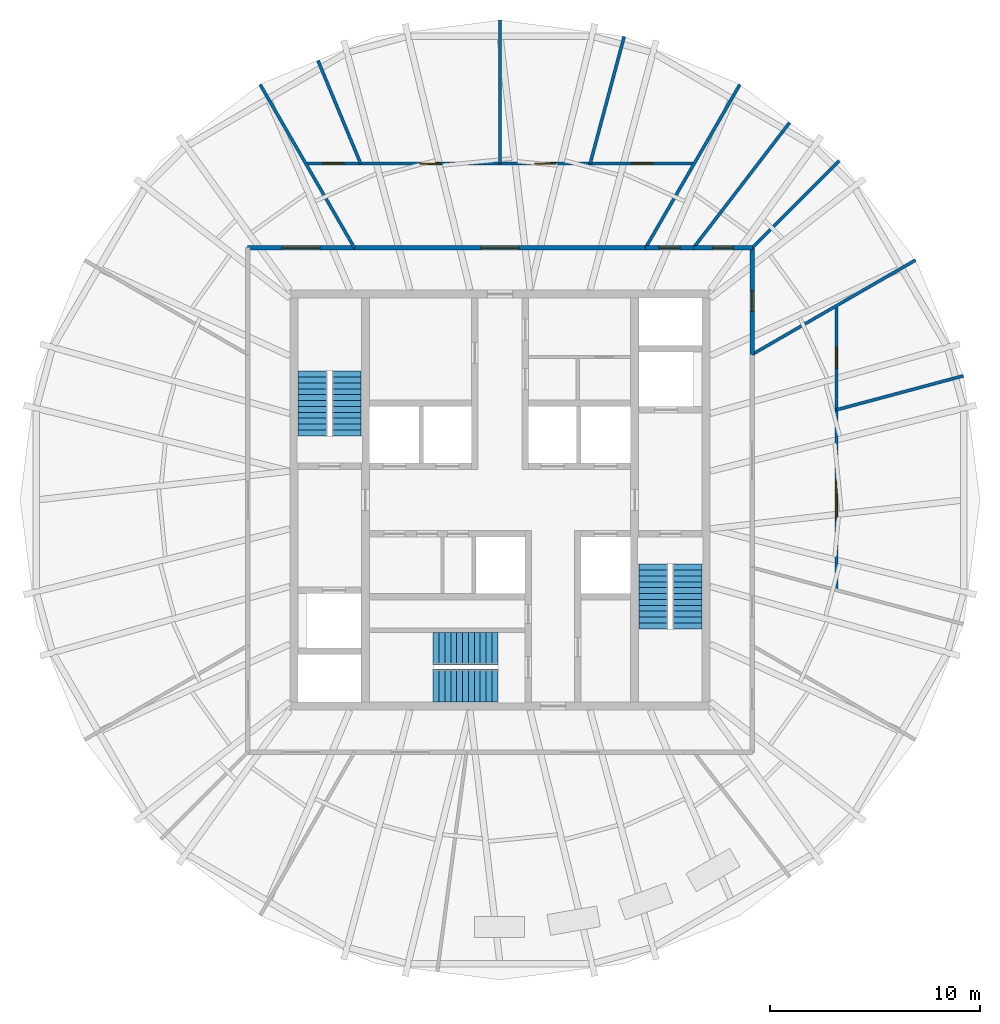
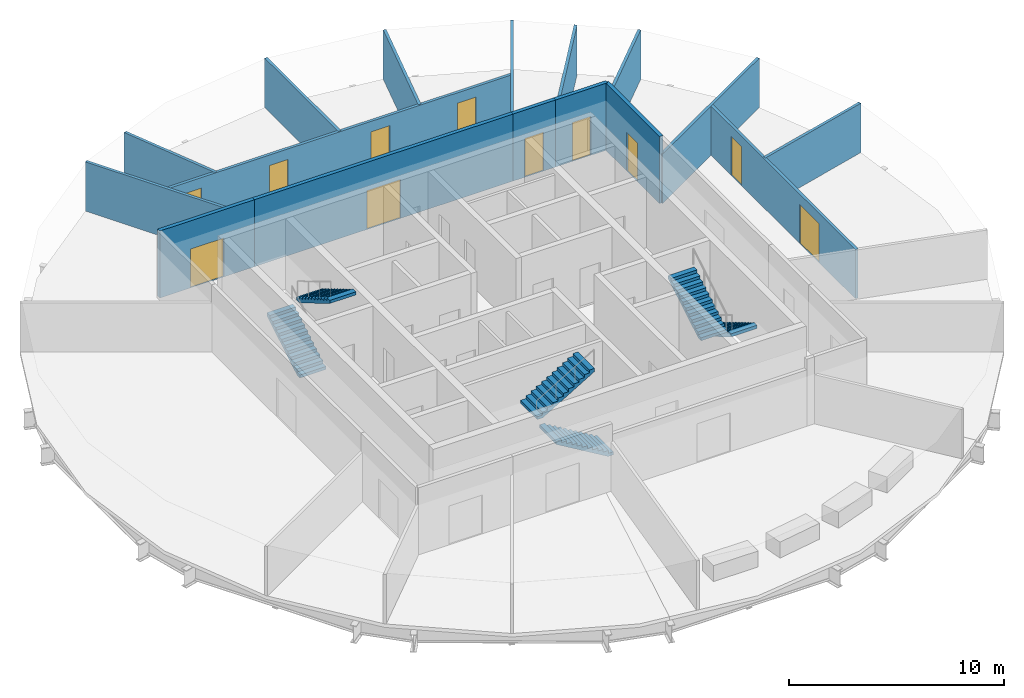
# One storey, part 5 of 7: 16 walls, 11 doors, 6 stair flights, 11 openings, 3 elements without a shape of their own.
"""IFC4 building model written with IfcOpenShell, lengths in metres."""

from ifc_helpers import new_model, si_unit, direction, frame, frame_2d, origin, place, context, subcontext, project, spatial, polyline, rectangle, outline, extrude, material, layer, layer_set, type_object, element, fill, aggregate, save


model = new_model("IFC4")

# Units and contexts
model_context = context("Model", 3, precision=1e-05, world=origin(), true_north=direction((0.0, 1.0)))
body_context = subcontext(model_context, "Body", "Model", "MODEL_VIEW")
ifc_project = project(units=[si_unit("LENGTHUNIT", "METRE"), si_unit("AREAUNIT", "SQUARE_METRE"), si_unit("VOLUMEUNIT", "CUBIC_METRE"), si_unit("PLANEANGLEUNIT", "RADIAN"), si_unit("MASSUNIT", "GRAM", prefix="KILO")], contexts=[model_context])

# Site, building, storey
site_placement = place(None, origin())
site = spatial("IfcSite", under=ifc_project, at=site_placement, CompositionType="ELEMENT")
building_placement = place(site_placement, origin())
building = spatial("IfcBuilding", under=site, at=building_placement, Name="Golbaran Civic Tower", CompositionType="ELEMENT")
storey_placement = place(building_placement, frame((0.0, 0.0, 236.0)))
storey = spatial("IfcBuildingStorey", under=building, at=storey_placement, Name="L57", CompositionType="ELEMENT", Elevation=236.0)

# Wall, opening, door
ifc_material_1 = material(Name="Gypsum board on steel studs, fire-rated", Category="steel")
ifc_layer_1 = layer(ifc_material_1, 0.199951171875, Name="Gypsum board on steel studs, fire-rated")
ifc_layer_set_1 = layer_set([ifc_layer_1], Name="Gypsum board on steel studs, fire-rated")
wall_type_1 = type_object("IfcWallType", Name="CORRIDOR WALL 200", PredefinedType="PARTITIONING", material=ifc_layer_set_1)
wall_1_placement = place(storey_placement, frame((12.0, 6.92822265625, 0.0), z_axis=(0.0, 0.0, 1.0), x_axis=(0.0, 1.0, 0.0)))
wall_1 = element("IfcWall", 1, at=wall_1_placement, inside=storey, type_object=wall_type_1, Name="Corridor wall L57", PredefinedType="PARTITIONING", context=body_context, shape_type="SweptSolid", body=[
    extrude(rectangle(XDim=5.07177734375, YDim=0.199951171875, at=frame_2d((2.535888671875, 0.0))), origin(), (0.0, 0.0, 1.0), 3.800048828125),
])
opening_1_placement = place(wall_1_placement, frame((2.035888671875, 0.0, 0.0)))
opening_1 = element("IfcOpeningElement", 2, at=opening_1_placement, cuts=wall_1, Name="Opening L57.09", PredefinedType="OPENING", context=body_context, shape_type="SweptSolid", body=[
    extrude(rectangle(XDim=1.0, YDim=2.199951171875, at=frame_2d((0.5, 1.10009765625))), frame((0.0, 0.10986328125, 0.0), z_axis=(0.0, -1.0, 0.0), x_axis=(1.0, 0.0, 0.0)), (0.0, 0.0, 1.0), 0.219970703125),
])
ifc_material_2 = material(Name="Timber door set in steel frame", Category="steel")
door_type_1 = type_object("IfcDoorType", Name="OFFICE DOOR 1000x2200", OperationType="SINGLE_SWING_LEFT", PredefinedType="DOOR", material=ifc_material_2)
door_1_placement = place(opening_1_placement, origin())
door_1 = element("IfcDoor", 3, at=door_1_placement, inside=storey, type_object=door_type_1, Name="Pantry door L57", OperationType="SINGLE_SWING_LEFT", OverallHeight=2.199951171875, OverallWidth=1.0, PredefinedType="DOOR", context=body_context, shape_type="SweptSolid", body=[
    extrude(rectangle(XDim=1.0, YDim=2.199951171875, at=frame_2d((0.5, 1.10009765625))), frame((0.0, 0.02490234375, 0.0), z_axis=(0.0, -1.0, 0.0), x_axis=(1.0, 0.0, 0.0)), (0.0, 0.0, 1.0), 0.050048828125),
])
fill(opening_1, door_1)

wall_2_placement = place(storey_placement, frame((12.0, 12.0, 0.0), z_axis=(0.0, 0.0, 1.0), x_axis=(-1.0, 0.0, 0.0)))
wall_2 = element("IfcWall", 4, at=wall_2_placement, inside=storey, type_object=wall_type_1, Name="Corridor wall L57", PredefinedType="PARTITIONING", context=body_context, shape_type="SweptSolid", body=[
    extrude(rectangle(XDim=2.7919921875, YDim=0.199951171875, at=frame_2d((1.39599609375, 0.0))), origin(), (0.0, 0.0, 1.0), 3.800048828125),
])
opening_2_placement = place(wall_2_placement, frame((0.89599609375, 0.0, 0.0)))
opening_2 = element("IfcOpeningElement", 5, at=opening_2_placement, cuts=wall_2, Name="Opening L57.10", PredefinedType="OPENING", context=body_context, shape_type="SweptSolid", body=[
    extrude(rectangle(XDim=1.0, YDim=2.199951171875, at=frame_2d((0.5, 1.10009765625))), frame((0.0, 0.10986328125, 0.0), z_axis=(0.0, -1.0, 0.0), x_axis=(1.0, 0.0, 0.0)), (0.0, 0.0, 1.0), 0.219970703125),
])
door_2_placement = place(opening_2_placement, origin())
door_2 = element("IfcDoor", 6, at=door_2_placement, inside=storey, type_object=door_type_1, Name="Prayer Room door L57", OperationType="SINGLE_SWING_RIGHT", OverallHeight=2.199951171875, OverallWidth=1.0, PredefinedType="DOOR", context=body_context, shape_type="SweptSolid", body=[
    extrude(rectangle(XDim=1.0, YDim=2.199951171875, at=frame_2d((0.5, 1.10009765625))), frame((0.0, 0.02490234375, 0.0), z_axis=(0.0, -1.0, 0.0), x_axis=(1.0, 0.0, 0.0)), (0.0, 0.0, 1.0), 0.050048828125),
])
fill(opening_2, door_2)

wall_3_placement = place(storey_placement, frame((9.2080078125, 12.0, 0.0), z_axis=(0.0, 0.0, 1.0), x_axis=(-1.0, 0.0, 0.0)))
wall_3 = element("IfcWall", 7, at=wall_3_placement, inside=storey, type_object=wall_type_1, Name="Corridor wall L57", PredefinedType="PARTITIONING", context=body_context, shape_type="SweptSolid", body=[
    extrude(rectangle(XDim=2.27978515625, YDim=0.199951171875, at=frame_2d((1.139892578125, 0.0))), origin(), (0.0, 0.0, 1.0), 3.800048828125),
])
opening_3_placement = place(wall_3_placement, frame((0.639892578125, 0.0, 0.0)))
opening_3 = element("IfcOpeningElement", 8, at=opening_3_placement, cuts=wall_3, Name="Opening L57.11", PredefinedType="OPENING", context=body_context, shape_type="SweptSolid", body=[
    extrude(rectangle(XDim=1.0, YDim=2.199951171875, at=frame_2d((0.5, 1.10009765625))), frame((0.0, 0.10986328125, 0.0), z_axis=(0.0, -1.0, 0.0), x_axis=(1.0, 0.0, 0.0)), (0.0, 0.0, 1.0), 0.219970703125),
])
door_3_placement = place(opening_3_placement, origin())
door_3 = element("IfcDoor", 9, at=door_3_placement, inside=storey, type_object=door_type_1, Name="Store door L57", OperationType="SINGLE_SWING_RIGHT", OverallHeight=2.199951171875, OverallWidth=1.0, PredefinedType="DOOR", context=body_context, shape_type="SweptSolid", body=[
    extrude(rectangle(XDim=1.0, YDim=2.199951171875, at=frame_2d((0.5, 1.10009765625))), frame((0.0, 0.02490234375, 0.0), z_axis=(0.0, -1.0, 0.0), x_axis=(1.0, 0.0, 0.0)), (0.0, 0.0, 1.0), 0.050048828125),
])
fill(opening_3, door_3)

wall_4_placement = place(storey_placement, frame((6.92822265625, 12.0, 0.0), z_axis=(0.0, 0.0, 1.0), x_axis=(-1.0, 0.0, 0.0)))
wall_4 = element("IfcWall", 10, at=wall_4_placement, inside=storey, type_object=wall_type_1, Name="Corridor wall L57", PredefinedType="PARTITIONING", context=body_context, shape_type="SweptSolid", body=[
    extrude(rectangle(XDim=13.8564453125, YDim=0.199951171875, at=frame_2d((6.92822265625, 0.0))), origin(), (0.0, 0.0, 1.0), 3.800048828125),
])
opening_4_placement = place(wall_4_placement, frame((6.0283203125, 0.0, 0.0)))
opening_4 = element("IfcOpeningElement", 11, at=opening_4_placement, cuts=wall_4, Name="Opening L57.12", PredefinedType="OPENING", context=body_context, shape_type="SweptSolid", body=[
    extrude(rectangle(XDim=1.800048828125, YDim=2.199951171875, at=frame_2d((0.89990234375, 1.10009765625))), frame((0.0, 0.10986328125, 0.0), z_axis=(0.0, -1.0, 0.0), x_axis=(1.0, 0.0, 0.0)), (0.0, 0.0, 1.0), 0.219970703125),
])
door_type_2 = type_object("IfcDoorType", Name="OFFICE DOUBLE DOOR 1800x2200", OperationType="DOUBLE_DOOR_SINGLE_SWING", PredefinedType="DOOR", material=ifc_material_2)
door_4_placement = place(opening_4_placement, origin())
door_4 = element("IfcDoor", 12, at=door_4_placement, inside=storey, type_object=door_type_2, Name="Reception door L57", OperationType="DOUBLE_DOOR_SINGLE_SWING", OverallHeight=2.199951171875, OverallWidth=1.800048828125, PredefinedType="DOOR", context=body_context, shape_type="SweptSolid", body=[
    extrude(rectangle(XDim=1.800048828125, YDim=2.199951171875, at=frame_2d((0.89990234375, 1.10009765625))), frame((0.0, 0.02490234375, 0.0), z_axis=(0.0, -1.0, 0.0), x_axis=(1.0, 0.0, 0.0)), (0.0, 0.0, 1.0), 0.050048828125),
])
fill(opening_4, door_4)

wall_5_placement = place(storey_placement, frame((-6.92822265625, 12.0, 0.0), z_axis=(0.0, 0.0, 1.0), x_axis=(-1.0, 0.0, 0.0)))
wall_5 = element("IfcWall", 13, at=wall_5_placement, inside=storey, type_object=wall_type_1, Name="Corridor wall L57", PredefinedType="PARTITIONING", context=body_context, shape_type="SweptSolid", body=[
    extrude(rectangle(XDim=5.07177734375, YDim=0.199951171875, at=frame_2d((2.535888671875, 0.0))), origin(), (0.0, 0.0, 1.0), 3.800048828125),
])
opening_5_placement = place(wall_5_placement, frame((1.635986328125, 0.0, 0.0)))
opening_5 = element("IfcOpeningElement", 14, at=opening_5_placement, cuts=wall_5, Name="Opening L57.13", PredefinedType="OPENING", context=body_context, shape_type="SweptSolid", body=[
    extrude(rectangle(XDim=1.800048828125, YDim=2.199951171875, at=frame_2d((0.89990234375, 1.10009765625))), frame((0.0, 0.10986328125, 0.0), z_axis=(0.0, -1.0, 0.0), x_axis=(1.0, 0.0, 0.0)), (0.0, 0.0, 1.0), 0.219970703125),
])
door_5_placement = place(opening_5_placement, origin())
door_5 = element("IfcDoor", 15, at=door_5_placement, inside=storey, type_object=door_type_2, Name="Open Office door L57", OperationType="DOUBLE_DOOR_SINGLE_SWING", OverallHeight=2.199951171875, OverallWidth=1.800048828125, PredefinedType="DOOR", context=body_context, shape_type="SweptSolid", body=[
    extrude(rectangle(XDim=1.800048828125, YDim=2.199951171875, at=frame_2d((0.89990234375, 1.10009765625))), frame((0.0, 0.02490234375, 0.0), z_axis=(0.0, -1.0, 0.0), x_axis=(1.0, 0.0, 0.0)), (0.0, 0.0, 1.0), 0.050048828125),
])
fill(opening_5, door_5)

# Walls
ifc_material_3 = material(Name="Gypsum board on steel studs", Category="steel")
ifc_layer_2 = layer(ifc_material_3, 0.14990234375, Name="Gypsum board on steel studs")
ifc_layer_set_2 = layer_set([ifc_layer_2], Name="Gypsum board on steel studs")
wall_type_2 = type_object("IfcWallType", Name="OFFICE PARTITION 150", PredefinedType="PARTITIONING", material=ifc_layer_set_2)
wall_6_placement = place(storey_placement, frame((12.0, 6.92822265625, 0.0), z_axis=(0.0, 0.0, 1.0), x_axis=(0.866025969295, 0.499999020506, 0.0)))
element("IfcWall", 16, at=wall_6_placement, inside=storey, type_object=wall_type_2, Name="Partition 30 L57", PredefinedType="PARTITIONING", context=body_context, shape_type="SweptSolid", body=[
    extrude(rectangle(XDim=8.9658203125, YDim=0.14990234375, at=frame_2d((4.48291015625, 0.0))), origin(), (0.0, 0.0, 1.0), 2.7900390625),
])
wall_7_placement = place(storey_placement, frame((12.0, 12.0, 0.0), z_axis=(0.0, 0.0, 1.0), x_axis=(0.707106781187, 0.707106781187, 0.0)))
element("IfcWall", 17, at=wall_7_placement, inside=storey, type_object=wall_type_2, Name="Partition 45 L57", PredefinedType="PARTITIONING", context=body_context, shape_type="SweptSolid", body=[
    extrude(rectangle(XDim=5.8515625, YDim=0.14990234375, at=frame_2d((2.92578125, 0.0))), origin(), (0.0, 0.0, 1.0), 2.7900390625),
])
wall_8_placement = place(storey_placement, frame((9.2080078125, 12.0, 0.0), z_axis=(0.0, 0.0, 1.0), x_axis=(0.608753999833, 0.793359040843, 0.0)))
element("IfcWall", 18, at=wall_8_placement, inside=storey, type_object=wall_type_2, Name="Partition 52.5 L57", PredefinedType="PARTITIONING", context=body_context, shape_type="SweptSolid", body=[
    extrude(rectangle(XDim=7.501220703125, YDim=0.14990234375, at=frame_2d((3.75048828125, 0.0))), origin(), (0.0, 0.0, 1.0), 2.7900390625),
])
for number, where, z_axis, x_axis, name in (
    (19, (6.92822265625, 12.0, 0.0), (0.0, 0.0, 1.0), (0.499999020506, 0.866025969295, 0.0), "Partition 60 L57"),
    (20, (-6.92822265625, 12.0, 0.0), (0.0, 0.0, 1.0), (-0.499999020506, 0.866025969295, 0.0), "Partition 120 L57"),
):
    element("IfcWall", number, at=place(storey_placement, frame(where, z_axis=z_axis, x_axis=x_axis)), inside=storey, type_object=wall_type_2, Name=name, PredefinedType="PARTITIONING", context=body_context, shape_type="SweptSolid", body=[
        extrude(rectangle(XDim=8.9658203125, YDim=0.14990234375, at=frame_2d((4.48291015625, 0.0))), origin(), (0.0, 0.0, 1.0), 2.7900390625),
    ])

# Wall, openings, doors
wall_9_placement = place(storey_placement, frame((16.0, -4.287109375, 0.0), z_axis=(0.0, 0.0, 1.0), x_axis=(0.0, 1.0, 0.0)))
wall_9 = element("IfcWall", 21, at=wall_9_placement, inside=storey, type_object=wall_type_2, Name="Suite partition L57", PredefinedType="PARTITIONING", context=body_context, shape_type="SweptSolid", body=[
    extrude(rectangle(XDim=13.524658203125, YDim=0.14990234375, at=frame_2d((6.76220703125, 0.0))), origin(), (0.0, 0.0, 1.0), 2.7900390625),
])
opening_6_placement = place(wall_9_placement, frame((3.38720703125, 0.0, 0.0)))
opening_6 = element("IfcOpeningElement", 22, at=opening_6_placement, cuts=wall_9, Name="Opening L57.01", PredefinedType="OPENING", context=body_context, shape_type="SweptSolid", body=[
    extrude(rectangle(XDim=1.800048828125, YDim=2.199951171875, at=frame_2d((0.89990234375, 1.10009765625))), frame((0.0, 0.0849609375, 0.0), z_axis=(0.0, -1.0, 0.0), x_axis=(1.0, 0.0, 0.0)), (0.0, 0.0, 1.0), 0.169921875),
])
opening_7_placement = place(wall_9_placement, frame((10.549560546875, 0.0, 0.0)))
opening_7 = element("IfcOpeningElement", 23, at=opening_7_placement, cuts=wall_9, Name="Opening L57.02", PredefinedType="OPENING", context=body_context, shape_type="SweptSolid", body=[
    extrude(rectangle(XDim=1.0, YDim=2.199951171875, at=frame_2d((0.5, 1.10009765625))), frame((0.0, 0.0849609375, 0.0), z_axis=(0.0, -1.0, 0.0), x_axis=(1.0, 0.0, 0.0)), (0.0, 0.0, 1.0), 0.169921875),
])
door_6_placement = place(opening_7_placement, origin())
door_6 = element("IfcDoor", 24, at=door_6_placement, inside=storey, type_object=door_type_1, Name="Office door L57", OperationType="SINGLE_SWING_RIGHT", OverallHeight=2.199951171875, OverallWidth=1.0, PredefinedType="DOOR", context=body_context, shape_type="SweptSolid", body=[
    extrude(rectangle(XDim=1.0, YDim=2.199951171875, at=frame_2d((0.5, 1.10009765625))), frame((0.0, 0.02490234375, 0.0), z_axis=(0.0, -1.0, 0.0), x_axis=(1.0, 0.0, 0.0)), (0.0, 0.0, 1.0), 0.050048828125),
])
fill(opening_7, door_6)
door_7_placement = place(opening_6_placement, origin())
door_7 = element("IfcDoor", 25, at=door_7_placement, inside=storey, type_object=door_type_2, Name="Office door L57", OperationType="DOUBLE_DOOR_SINGLE_SWING", OverallHeight=2.199951171875, OverallWidth=1.800048828125, PredefinedType="DOOR", context=body_context, shape_type="SweptSolid", body=[
    extrude(rectangle(XDim=1.800048828125, YDim=2.199951171875, at=frame_2d((0.89990234375, 1.10009765625))), frame((0.0, 0.02490234375, 0.0), z_axis=(0.0, -1.0, 0.0), x_axis=(1.0, 0.0, 0.0)), (0.0, 0.0, 1.0), 0.050048828125),
])
fill(opening_6, door_7)

# Wall
wall_10_placement = place(storey_placement, frame((16.0, 4.287109375, 0.0), z_axis=(0.0, 0.0, 1.0), x_axis=(0.965927328821, 0.258813437513, 0.0)))
element("IfcWall", 26, at=wall_10_placement, inside=storey, type_object=wall_type_2, Name="Partition 15 L57", PredefinedType="PARTITIONING", context=body_context, shape_type="SweptSolid", body=[
    extrude(rectangle(XDim=6.2578125, YDim=0.14990234375, at=frame_2d((3.12890625, 0.0))), origin(), (0.0, 0.0, 1.0), 2.7900390625),
])

# Wall, openings, doors
wall_11_placement = place(storey_placement, frame((9.237548828125, 16.0, 0.0), z_axis=(0.0, 0.0, 1.0), x_axis=(-1.0, 0.0, 0.0)))
wall_11 = element("IfcWall", 27, at=wall_11_placement, inside=storey, type_object=wall_type_2, Name="Suite partition L57", PredefinedType="PARTITIONING", context=body_context, shape_type="SweptSolid", body=[
    extrude(rectangle(XDim=18.47509765625, YDim=0.14990234375, at=frame_2d((9.237548828125, 0.0))), origin(), (0.0, 0.0, 1.0), 2.7900390625),
])
opening_8_placement = place(wall_11_placement, frame((1.97509765625, 0.0, 0.0)))
opening_8 = element("IfcOpeningElement", 28, at=opening_8_placement, cuts=wall_11, Name="Opening L57.03", PredefinedType="OPENING", context=body_context, shape_type="SweptSolid", body=[
    extrude(rectangle(XDim=1.0, YDim=2.199951171875, at=frame_2d((0.5, 1.10009765625))), frame((0.0, 0.0849609375, 0.0), z_axis=(0.0, -1.0, 0.0), x_axis=(1.0, 0.0, 0.0)), (0.0, 0.0, 1.0), 0.169921875),
])
opening_9_placement = place(wall_11_placement, frame((6.593994140625, 0.0, 0.0)))
opening_9 = element("IfcOpeningElement", 29, at=opening_9_placement, cuts=wall_11, Name="Opening L57.04", PredefinedType="OPENING", context=body_context, shape_type="SweptSolid", body=[
    extrude(rectangle(XDim=1.0, YDim=2.199951171875, at=frame_2d((0.5, 1.10009765625))), frame((0.0, 0.0849609375, 0.0), z_axis=(0.0, -1.0, 0.0), x_axis=(1.0, 0.0, 0.0)), (0.0, 0.0, 1.0), 0.169921875),
])
opening_10_placement = place(wall_11_placement, frame((12.05126953125, 0.0, 0.0)))
opening_10 = element("IfcOpeningElement", 30, at=opening_10_placement, cuts=wall_11, Name="Opening L57.05", PredefinedType="OPENING", context=body_context, shape_type="SweptSolid", body=[
    extrude(rectangle(XDim=1.0, YDim=2.199951171875, at=frame_2d((0.5, 1.10009765625))), frame((0.0, 0.0849609375, 0.0), z_axis=(0.0, -1.0, 0.0), x_axis=(1.0, 0.0, 0.0)), (0.0, 0.0, 1.0), 0.169921875),
])
opening_11_placement = place(wall_11_placement, frame((16.670166015625, 0.0, 0.0)))
opening_11 = element("IfcOpeningElement", 31, at=opening_11_placement, cuts=wall_11, Name="Opening L57.06", PredefinedType="OPENING", context=body_context, shape_type="SweptSolid", body=[
    extrude(rectangle(XDim=1.0, YDim=2.199951171875, at=frame_2d((0.5, 1.10009765625))), frame((0.0, 0.0849609375, 0.0), z_axis=(0.0, -1.0, 0.0), x_axis=(1.0, 0.0, 0.0)), (0.0, 0.0, 1.0), 0.169921875),
])
door_8_placement = place(opening_8_placement, origin())
door_8 = element("IfcDoor", 32, at=door_8_placement, inside=storey, type_object=door_type_1, Name="Office door L57", OperationType="SINGLE_SWING_LEFT", OverallHeight=2.199951171875, OverallWidth=1.0, PredefinedType="DOOR", context=body_context, shape_type="SweptSolid", body=[
    extrude(rectangle(XDim=1.0, YDim=2.199951171875, at=frame_2d((0.5, 1.10009765625))), frame((0.0, 0.02490234375, 0.0), z_axis=(0.0, -1.0, 0.0), x_axis=(1.0, 0.0, 0.0)), (0.0, 0.0, 1.0), 0.050048828125),
])
fill(opening_8, door_8)
door_9_placement = place(opening_9_placement, origin())
door_9 = element("IfcDoor", 33, at=door_9_placement, inside=storey, type_object=door_type_1, Name="Private Meeting Room door L57", OperationType="SINGLE_SWING_LEFT", OverallHeight=2.199951171875, OverallWidth=1.0, PredefinedType="DOOR", context=body_context, shape_type="SweptSolid", body=[
    extrude(rectangle(XDim=1.0, YDim=2.199951171875, at=frame_2d((0.5, 1.10009765625))), frame((0.0, 0.02490234375, 0.0), z_axis=(0.0, -1.0, 0.0), x_axis=(1.0, 0.0, 0.0)), (0.0, 0.0, 1.0), 0.050048828125),
])
fill(opening_9, door_9)
door_10_placement = place(opening_10_placement, origin())
door_10 = element("IfcDoor", 34, at=door_10_placement, inside=storey, type_object=door_type_1, Name="Deputy Minister's Office door L57", OperationType="SINGLE_SWING_RIGHT", OverallHeight=2.199951171875, OverallWidth=1.0, PredefinedType="DOOR", context=body_context, shape_type="SweptSolid", body=[
    extrude(rectangle(XDim=1.0, YDim=2.199951171875, at=frame_2d((0.5, 1.10009765625))), frame((0.0, 0.02490234375, 0.0), z_axis=(0.0, -1.0, 0.0), x_axis=(1.0, 0.0, 0.0)), (0.0, 0.0, 1.0), 0.050048828125),
])
fill(opening_10, door_10)
door_11_placement = place(opening_11_placement, origin())
door_11 = element("IfcDoor", 35, at=door_11_placement, inside=storey, type_object=door_type_1, Name="Office door L57", OperationType="SINGLE_SWING_RIGHT", OverallHeight=2.199951171875, OverallWidth=1.0, PredefinedType="DOOR", context=body_context, shape_type="SweptSolid", body=[
    extrude(rectangle(XDim=1.0, YDim=2.199951171875, at=frame_2d((0.5, 1.10009765625))), frame((0.0, 0.02490234375, 0.0), z_axis=(0.0, -1.0, 0.0), x_axis=(1.0, 0.0, 0.0)), (0.0, 0.0, 1.0), 0.050048828125),
])
fill(opening_11, door_11)

# Walls
wall_12_placement = place(storey_placement, frame((4.287109375, 16.0, 0.0), z_axis=(0.0, 0.0, 1.0), x_axis=(0.258813437513, 0.965927328821, 0.0)))
element("IfcWall", 36, at=wall_12_placement, inside=storey, type_object=wall_type_2, Name="Partition 75 L57", PredefinedType="PARTITIONING", context=body_context, shape_type="SweptSolid", body=[
    extrude(rectangle(XDim=6.2578125, YDim=0.14990234375, at=frame_2d((3.12890625, 0.0))), origin(), (0.0, 0.0, 1.0), 2.7900390625),
])
wall_13_placement = place(storey_placement, frame((0.0, 16.0, 0.0), z_axis=(0.0, 0.0, 1.0), x_axis=(0.0, 1.0, 0.0)))
element("IfcWall", 37, at=wall_13_placement, inside=storey, type_object=wall_type_2, Name="Partition 90 L57", PredefinedType="PARTITIONING", context=body_context, shape_type="SweptSolid", body=[
    extrude(rectangle(XDim=6.822265625, YDim=0.14990234375, at=frame_2d((3.4111328125, 0.0))), origin(), (0.0, 0.0, 1.0), 2.7900390625),
])
wall_14_placement = place(storey_placement, frame((-6.62744140625, 16.0, 0.0), z_axis=(0.0, 0.0, 1.0), x_axis=(-0.382678083764, 0.923881747956, 0.0)))
element("IfcWall", 38, at=wall_14_placement, inside=storey, type_object=wall_type_2, Name="Partition 112.5 L57", PredefinedType="PARTITIONING", context=body_context, shape_type="SweptSolid", body=[
    extrude(rectangle(XDim=5.30859375, YDim=0.14990234375, at=frame_2d((2.654296875, 0.0))), origin(), (0.0, 0.0, 1.0), 2.7900390625),
])

# Stair, stair flights
ifc_material_4 = material(Name="Concrete C35/45", Category="concrete")
stair_type_1 = type_object("IfcStairType", Name="EXIT STAIR 3000 x 7850, 4000 RISE", PredefinedType="HALF_TURN_STAIR", material=ifc_material_4)
stair_1_placement = place(storey_placement, origin())
stair_1 = element("IfcStair", 39, at=stair_1_placement, inside=storey, type_object=stair_type_1, Name="Stair S1 L57", PredefinedType="HALF_TURN_STAIR")
stair_flight_type_1 = type_object("IfcStairFlightType", Name="STAIR FLIGHT 1400 WIDE", PredefinedType="STRAIGHT", material=ifc_material_4)
stair_flight_1_placement = place(storey_placement, frame((-8.89990234375, 3.050048828125, 0.0), z_axis=(0.0, 0.0, 1.0), x_axis=(0.0, 1.0, 0.0)))
stair_flight_1 = element("IfcStairFlight", 40, at=stair_flight_1_placement, type_object=stair_flight_type_1, Name="ST30078-40 flight 1", NumberOfRisers=12, NumberOfTreads=11, PredefinedType="STRAIGHT", RiserHeight=0.166666667, TreadLength=0.28, context=body_context, shape_type="SweptSolid", body=[
    extrude(outline(polyline([(0.0, 0.0), (0.0, 0.166748046875), (0.280029296875, 0.166748046875), (0.280029296875, 0.333251953125), (0.56005859375, 0.333251953125), (0.56005859375, 0.5), (0.840087890625, 0.5), (0.840087890625, 0.666748046875), (1.1201171875, 0.666748046875), (1.1201171875, 0.833251953125), (1.39990234375, 0.833251953125), (1.39990234375, 1.0), (1.679931640625, 1.0), (1.679931640625, 1.166748046875), (1.9599609375, 1.166748046875), (1.9599609375, 1.333251953125), (2.239990234375, 1.333251953125), (2.239990234375, 1.5), (2.52001953125, 1.5), (2.52001953125, 1.666748046875), (2.800048828125, 1.666748046875), (2.800048828125, 1.833251953125), (3.080078125, 1.833251953125), (3.080078125, 2.0), (3.080078125, 1.658935546875), (0.29296875, 0.0), (0.0, 0.0)])), frame((0.0, 0.699951171875, 0.0), z_axis=(0.0, -1.0, 0.0), x_axis=(1.0, 0.0, 0.0)), (0.0, 0.0, 1.0), 1.39990234375),
])
stair_flight_2_placement = place(storey_placement, frame((-7.300048828125, 6.1298828125, 2.0), z_axis=(0.0, 0.0, 1.0), x_axis=(0.0, -1.0, 0.0)))
stair_flight_2 = element("IfcStairFlight", 41, at=stair_flight_2_placement, type_object=stair_flight_type_1, Name="ST30078-40 flight 2", NumberOfRisers=12, NumberOfTreads=11, PredefinedType="STRAIGHT", RiserHeight=0.166666667, TreadLength=0.28, context=body_context, shape_type="SweptSolid", body=[
    extrude(outline(polyline([(0.0, 0.0), (0.0, 0.166748046875), (0.280029296875, 0.166748046875), (0.280029296875, 0.333251953125), (0.56005859375, 0.333251953125), (0.56005859375, 0.5), (0.840087890625, 0.5), (0.840087890625, 0.666748046875), (1.1201171875, 0.666748046875), (1.1201171875, 0.833251953125), (1.39990234375, 0.833251953125), (1.39990234375, 1.0), (1.679931640625, 1.0), (1.679931640625, 1.166748046875), (1.9599609375, 1.166748046875), (1.9599609375, 1.333251953125), (2.239990234375, 1.333251953125), (2.239990234375, 1.5), (2.52001953125, 1.5), (2.52001953125, 1.666748046875), (2.800048828125, 1.666748046875), (2.800048828125, 1.833251953125), (3.080078125, 1.833251953125), (3.080078125, 2.0), (3.080078125, 1.658935546875), (0.29296875, 0.0), (0.0, 0.0)])), frame((0.0, 0.699951171875, 0.0), z_axis=(0.0, -1.0, 0.0), x_axis=(1.0, 0.0, 0.0)), (0.0, 0.0, 1.0), 1.39990234375),
])
aggregate(stair_1, [stair_flight_1, stair_flight_2])

stair_2_placement = place(storey_placement, origin())
stair_2 = element("IfcStair", 42, at=stair_2_placement, inside=storey, type_object=stair_type_1, Name="Stair S2 L57", PredefinedType="HALF_TURN_STAIR")
stair_flight_3_placement = place(storey_placement, frame((8.89990234375, -3.050048828125, 0.0), z_axis=(0.0, 0.0, 1.0), x_axis=(0.0, -1.0, 0.0)))
stair_flight_3 = element("IfcStairFlight", 43, at=stair_flight_3_placement, type_object=stair_flight_type_1, Name="ST30078-40 flight 1", NumberOfRisers=12, NumberOfTreads=11, PredefinedType="STRAIGHT", RiserHeight=0.166666667, TreadLength=0.28, context=body_context, shape_type="SweptSolid", body=[
    extrude(outline(polyline([(0.0, 0.0), (0.0, 0.166748046875), (0.280029296875, 0.166748046875), (0.280029296875, 0.333251953125), (0.56005859375, 0.333251953125), (0.56005859375, 0.5), (0.840087890625, 0.5), (0.840087890625, 0.666748046875), (1.1201171875, 0.666748046875), (1.1201171875, 0.833251953125), (1.39990234375, 0.833251953125), (1.39990234375, 1.0), (1.679931640625, 1.0), (1.679931640625, 1.166748046875), (1.9599609375, 1.166748046875), (1.9599609375, 1.333251953125), (2.239990234375, 1.333251953125), (2.239990234375, 1.5), (2.52001953125, 1.5), (2.52001953125, 1.666748046875), (2.800048828125, 1.666748046875), (2.800048828125, 1.833251953125), (3.080078125, 1.833251953125), (3.080078125, 2.0), (3.080078125, 1.658935546875), (0.29296875, 0.0), (0.0, 0.0)])), frame((0.0, 0.699951171875, 0.0), z_axis=(0.0, -1.0, 0.0), x_axis=(1.0, 0.0, 0.0)), (0.0, 0.0, 1.0), 1.39990234375),
])
stair_flight_4_placement = place(storey_placement, frame((7.300048828125, -6.1298828125, 2.0), z_axis=(0.0, 0.0, 1.0), x_axis=(0.0, 1.0, 0.0)))
stair_flight_4 = element("IfcStairFlight", 44, at=stair_flight_4_placement, type_object=stair_flight_type_1, Name="ST30078-40 flight 2", NumberOfRisers=12, NumberOfTreads=11, PredefinedType="STRAIGHT", RiserHeight=0.166666667, TreadLength=0.28, context=body_context, shape_type="SweptSolid", body=[
    extrude(outline(polyline([(0.0, 0.0), (0.0, 0.166748046875), (0.280029296875, 0.166748046875), (0.280029296875, 0.333251953125), (0.56005859375, 0.333251953125), (0.56005859375, 0.5), (0.840087890625, 0.5), (0.840087890625, 0.666748046875), (1.1201171875, 0.666748046875), (1.1201171875, 0.833251953125), (1.39990234375, 0.833251953125), (1.39990234375, 1.0), (1.679931640625, 1.0), (1.679931640625, 1.166748046875), (1.9599609375, 1.166748046875), (1.9599609375, 1.333251953125), (2.239990234375, 1.333251953125), (2.239990234375, 1.5), (2.52001953125, 1.5), (2.52001953125, 1.666748046875), (2.800048828125, 1.666748046875), (2.800048828125, 1.833251953125), (3.080078125, 1.833251953125), (3.080078125, 2.0), (3.080078125, 1.658935546875), (0.29296875, 0.0), (0.0, 0.0)])), frame((0.0, 0.699951171875, 0.0), z_axis=(0.0, -1.0, 0.0), x_axis=(1.0, 0.0, 0.0)), (0.0, 0.0, 1.0), 1.39990234375),
])
aggregate(stair_2, [stair_flight_3, stair_flight_4])

stair_type_2 = type_object("IfcStairType", Name="EXIT STAIR 3300 x 7400, 4000 RISE", PredefinedType="HALF_TURN_STAIR", material=ifc_material_4)
stair_3_placement = place(storey_placement, origin())
stair_3 = element("IfcStair", 45, at=stair_3_placement, inside=storey, type_object=stair_type_2, Name="Stair S3 L57", PredefinedType="HALF_TURN_STAIR")
stair_flight_type_2 = type_object("IfcStairFlightType", Name="STAIR FLIGHT 1550 WIDE", PredefinedType="STRAIGHT", material=ifc_material_4)
stair_flight_5_placement = place(storey_placement, frame((-0.10009765625, -8.824951171875, 0.0), z_axis=(0.0, 0.0, 1.0), x_axis=(-1.0, 0.0, 0.0)))
stair_flight_5 = element("IfcStairFlight", 46, at=stair_flight_5_placement, type_object=stair_flight_type_2, Name="ST33074-40 flight 1", NumberOfRisers=12, NumberOfTreads=11, PredefinedType="STRAIGHT", RiserHeight=0.166666667, TreadLength=0.28, context=body_context, shape_type="SweptSolid", body=[
    extrude(outline(polyline([(0.0, 0.0), (0.0, 0.166748046875), (0.280029296875, 0.166748046875), (0.280029296875, 0.333251953125), (0.56005859375, 0.333251953125), (0.56005859375, 0.5), (0.840087890625, 0.5), (0.840087890625, 0.666748046875), (1.1201171875, 0.666748046875), (1.1201171875, 0.833251953125), (1.39990234375, 0.833251953125), (1.39990234375, 1.0), (1.679931640625, 1.0), (1.679931640625, 1.166748046875), (1.9599609375, 1.166748046875), (1.9599609375, 1.333251953125), (2.239990234375, 1.333251953125), (2.239990234375, 1.5), (2.52001953125, 1.5), (2.52001953125, 1.666748046875), (2.800048828125, 1.666748046875), (2.800048828125, 1.833251953125), (3.080078125, 1.833251953125), (3.080078125, 2.0), (3.080078125, 1.658935546875), (0.29296875, 0.0), (0.0, 0.0)])), frame((0.0, 0.77490234375, 0.0), z_axis=(0.0, -1.0, 0.0), x_axis=(1.0, 0.0, 0.0)), (0.0, 0.0, 1.0), 1.550048828125),
])
stair_flight_6_placement = place(storey_placement, frame((-3.179931640625, -7.074951171875, 2.0), z_axis=(0.0, 0.0, 1.0), x_axis=(1.0, 0.0, 0.0)))
stair_flight_6 = element("IfcStairFlight", 47, at=stair_flight_6_placement, type_object=stair_flight_type_2, Name="ST33074-40 flight 2", NumberOfRisers=12, NumberOfTreads=11, PredefinedType="STRAIGHT", RiserHeight=0.166666667, TreadLength=0.28, context=body_context, shape_type="SweptSolid", body=[
    extrude(outline(polyline([(0.0, 0.0), (0.0, 0.166748046875), (0.280029296875, 0.166748046875), (0.280029296875, 0.333251953125), (0.56005859375, 0.333251953125), (0.56005859375, 0.5), (0.840087890625, 0.5), (0.840087890625, 0.666748046875), (1.1201171875, 0.666748046875), (1.1201171875, 0.833251953125), (1.39990234375, 0.833251953125), (1.39990234375, 1.0), (1.679931640625, 1.0), (1.679931640625, 1.166748046875), (1.9599609375, 1.166748046875), (1.9599609375, 1.333251953125), (2.239990234375, 1.333251953125), (2.239990234375, 1.5), (2.52001953125, 1.5), (2.52001953125, 1.666748046875), (2.800048828125, 1.666748046875), (2.800048828125, 1.833251953125), (3.080078125, 1.833251953125), (3.080078125, 2.0), (3.080078125, 1.658935546875), (0.29296875, 0.0), (0.0, 0.0)])), frame((0.0, 0.77490234375, 0.0), z_axis=(0.0, -1.0, 0.0), x_axis=(1.0, 0.0, 0.0)), (0.0, 0.0, 1.0), 1.550048828125),
])
aggregate(stair_3, [stair_flight_5, stair_flight_6])

save(model, "model.ifc")
